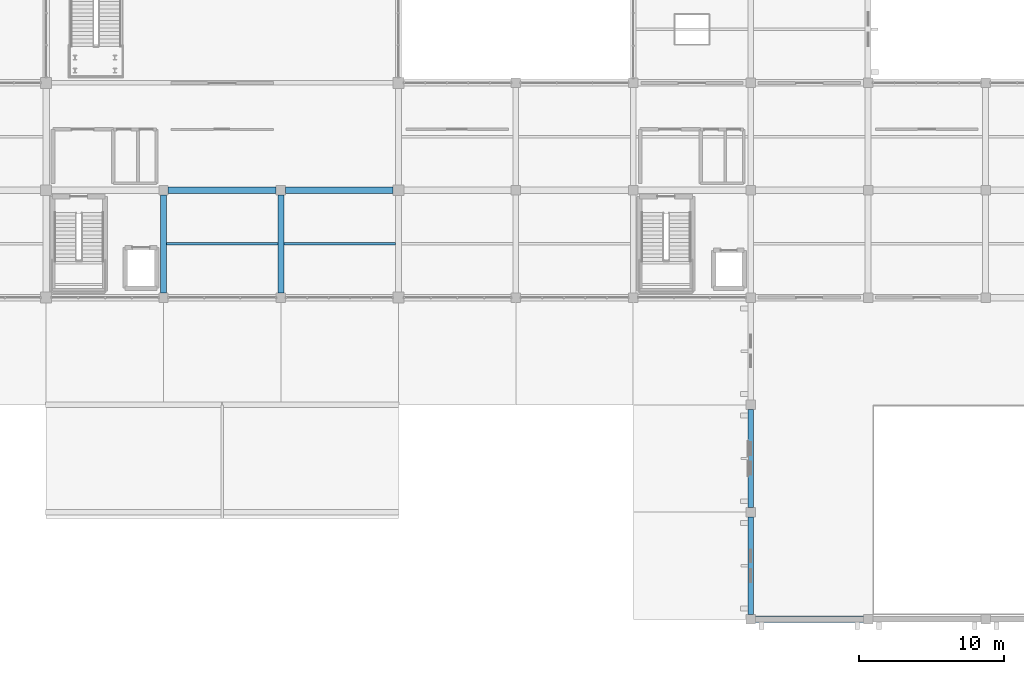
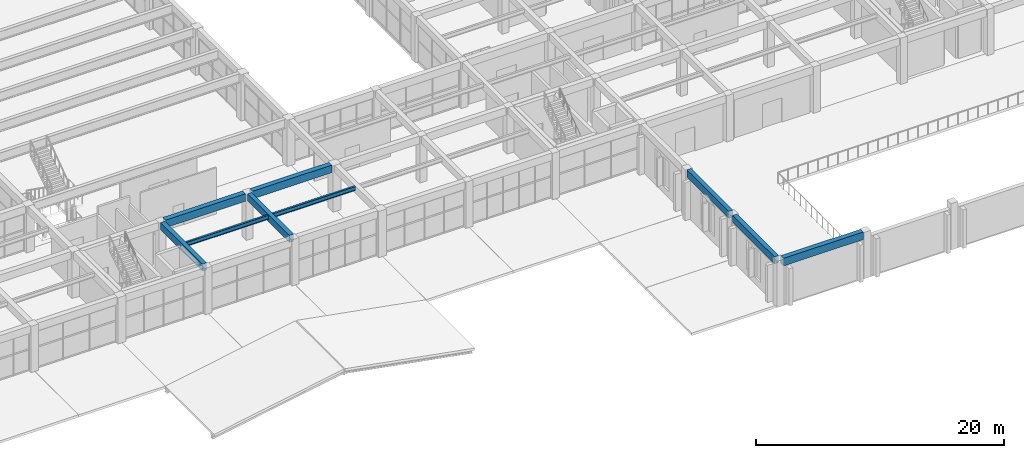
# One storey, part 39 of 161: 9 beams.
"""IFC4 building model written with IfcOpenShell, lengths in metres."""

from ifc_helpers import new_model, si_unit, direction, frame, origin, origin_2d, place, context, subcontext, project, spatial, rectangle, i_section, extrude, material, material_profile, profile_set, type_object, element, save


model = new_model("IFC4")

# Units and contexts
model_context = context("Model", 3, precision=1e-05, world=origin(), true_north=direction((0.0, 1.0)))
body_context = subcontext(model_context, "Body", "Model", "MODEL_VIEW")
ifc_project = project(units=[si_unit("LENGTHUNIT", "METRE"), si_unit("AREAUNIT", "SQUARE_METRE"), si_unit("VOLUMEUNIT", "CUBIC_METRE"), si_unit("PLANEANGLEUNIT", "RADIAN"), si_unit("MASSUNIT", "GRAM", prefix="KILO")], contexts=[model_context])

# Site, building, storey
site_placement = place(None, origin())
site = spatial("IfcSite", under=ifc_project, at=site_placement, CompositionType="ELEMENT")
building_placement = place(site_placement, origin())
building = spatial("IfcBuilding", under=site, at=building_placement, Name="Cimatlan Art Gallery", CompositionType="ELEMENT")
storey_placement = place(building_placement, frame((0.0, 0.0, 5.39990234375)))
storey = spatial("IfcBuildingStorey", under=building, at=storey_placement, Name="L01", CompositionType="ELEMENT", Elevation=5.39990234375)

# Beams
ifc_material_1 = material(Name="Concrete C40/50", Category="concrete")
ifc_material_profile_1 = material_profile(ifc_material_1, rectangle(XDim=0.39990234375, YDim=0.699951171875, at=origin_2d()), Name="RC400X700")
ifc_profile_set_1 = profile_set([ifc_material_profile_1], Name="Concrete C40/50")
beam_type_1 = type_object("IfcBeamType", Name="BM-RC-400X700", PredefinedType="BEAM", material=ifc_profile_set_1)
for number, where, z_axis, x_axis, name in (
    (1, (83.0, 24.22509765625, 4.210205078125), (0.0, 1.0, 0.0), (-1.0, 0.0, 0.0), "BM-Y-L01-10-03"),
    (2, (91.10009765625, 24.22509765625, 4.210205078125), (0.0, 1.0, 0.0), (-1.0, 0.0, 0.0), "BM-Y-L01-11-03"),
    (3, (123.5, 2.02490234375, 4.210205078125), (0.0, 1.0, 0.0), (-1.0, 0.0, 0.0), "BM-Y-L01-15-00"),
    (4, (123.5, 9.425048828125, 4.210205078125), (0.0, 1.0, 0.0), (-1.0, 0.0, 0.0), "BM-Y-L01-15-01"),
):
    element("IfcBeam", number, at=place(storey_placement, frame(where, z_axis=z_axis, x_axis=x_axis)), inside=storey, type_object=beam_type_1, Name=name, PredefinedType="BEAM", context=body_context, shape_type="SweptSolid", body=[
        extrude(rectangle(XDim=0.39990234375, YDim=0.699951171875, at=origin_2d()), origin(), (0.0, 0.0, 1.0), 6.75),
    ])
ifc_material_profile_2 = material_profile(ifc_material_1, rectangle(XDim=0.449951171875, YDim=0.75, at=origin_2d()), Name="RC450X750")
ifc_profile_set_2 = profile_set([ifc_material_profile_2], Name="Concrete C40/50")
beam_type_2 = type_object("IfcBeamType", Name="BM-RC-450X750", PredefinedType="BEAM", material=ifc_profile_set_2)
beam_1_placement = place(storey_placement, frame((83.324951171875, 31.300048828125, 4.18505859375), z_axis=(1.0, 0.0, 0.0), x_axis=(0.0, 1.0, 0.0)))
element("IfcBeam", 5, at=beam_1_placement, inside=storey, type_object=beam_type_2, Name="BM-X-L01-10-04", PredefinedType="BEAM", context=body_context, shape_type="SweptSolid", body=[
    extrude(rectangle(XDim=0.449951171875, YDim=0.75, at=origin_2d()), origin(), (0.0, 0.0, 1.0), 7.449951171875),
])
beam_2_placement = place(storey_placement, frame((91.425048828125, 31.300048828125, 4.18505859375), z_axis=(1.0, 0.0, 0.0), x_axis=(0.0, 1.0, 0.0)))
element("IfcBeam", 6, at=beam_2_placement, inside=storey, type_object=beam_type_2, Name="BM-X-L01-11-04", PredefinedType="BEAM", context=body_context, shape_type="SweptSolid", body=[
    extrude(rectangle(XDim=0.449951171875, YDim=0.75, at=origin_2d()), origin(), (0.0, 0.0, 1.0), 7.39990234375),
])
beam_3_placement = place(storey_placement, frame((123.824951171875, 1.699951171875, 4.18505859375), z_axis=(1.0, 0.0, 0.0), x_axis=(0.0, 1.0, 0.0)))
element("IfcBeam", 7, at=beam_3_placement, inside=storey, type_object=beam_type_2, Name="BM-X-L01-15-00", PredefinedType="BEAM", context=body_context, shape_type="SweptSolid", body=[
    extrude(rectangle(XDim=0.449951171875, YDim=0.75, at=origin_2d()), origin(), (0.0, 0.0, 1.0), 7.449951171875),
])
ifc_material_2 = material(Name="Steel ASTM A992 Grade 50", Category="steel")
ifc_material_profile_3 = material_profile(ifc_material_2, i_section(OverallWidth=0.177978515625, OverallDepth=0.406982421875, WebThickness=0.0078125, FlangeThickness=0.0126953125, at=origin_2d()), Name="W16X40")
ifc_profile_set_3 = profile_set([ifc_material_profile_3], Name="Steel ASTM A992 Grade 50")
beam_type_3 = type_object("IfcBeamType", Name="BM-STL-W16X40", PredefinedType="JOIST", material=ifc_profile_set_3)
for number, where, z_axis, x_axis, name in (
    (8, (83.199951171875, 27.60009765625, 4.356689453125), (1.0, 0.0, 0.0), (0.0, 1.0, 0.0), "JST-L01-10-03"),
    (9, (91.300048828125, 27.60009765625, 4.356689453125), (1.0, 0.0, 0.0), (0.0, 1.0, 0.0), "JST-L01-11-03"),
):
    element("IfcBeam", number, at=place(storey_placement, frame(where, z_axis=z_axis, x_axis=x_axis)), inside=storey, type_object=beam_type_3, Name=name, PredefinedType="JOIST", context=body_context, shape_type="SweptSolid", body=[
        extrude(i_section(OverallWidth=0.177978515625, OverallDepth=0.406982421875, WebThickness=0.0078125, FlangeThickness=0.0126953125, at=origin_2d()), origin(), (0.0, 0.0, 1.0), 7.699951171875),
    ])

save(model, "model.ifc")
